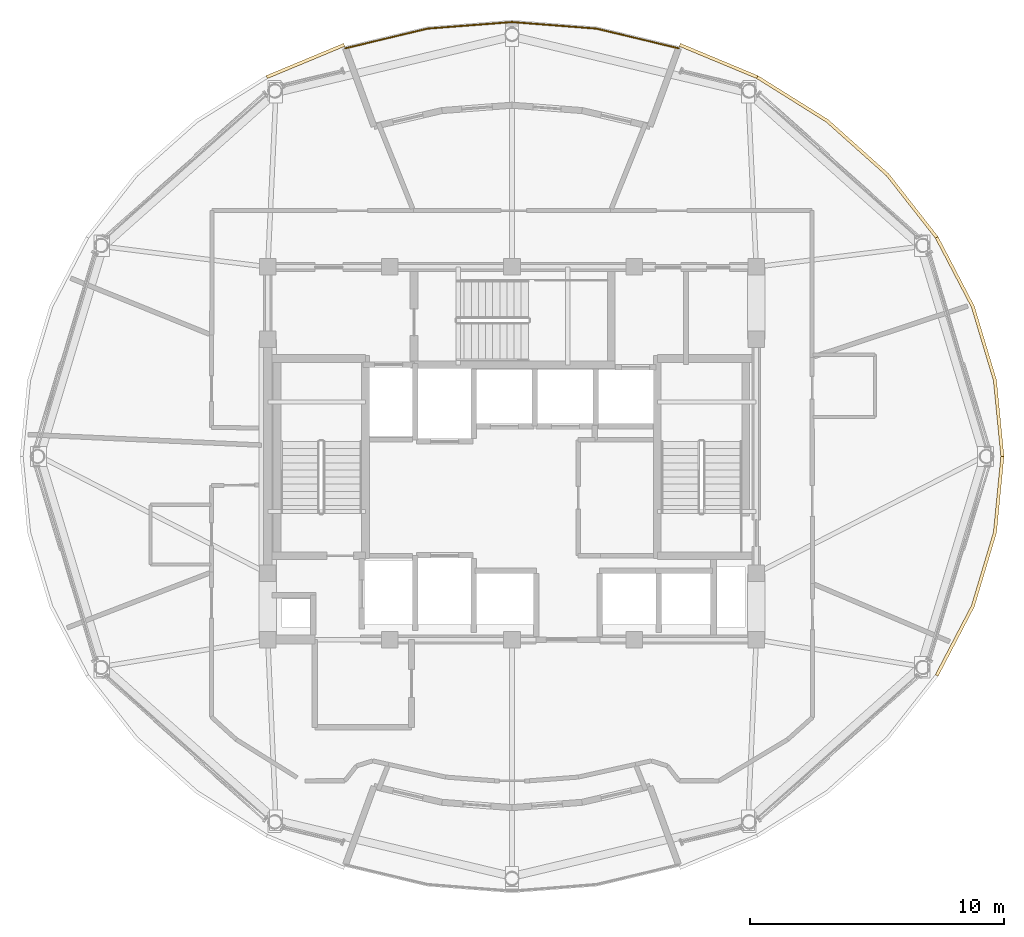
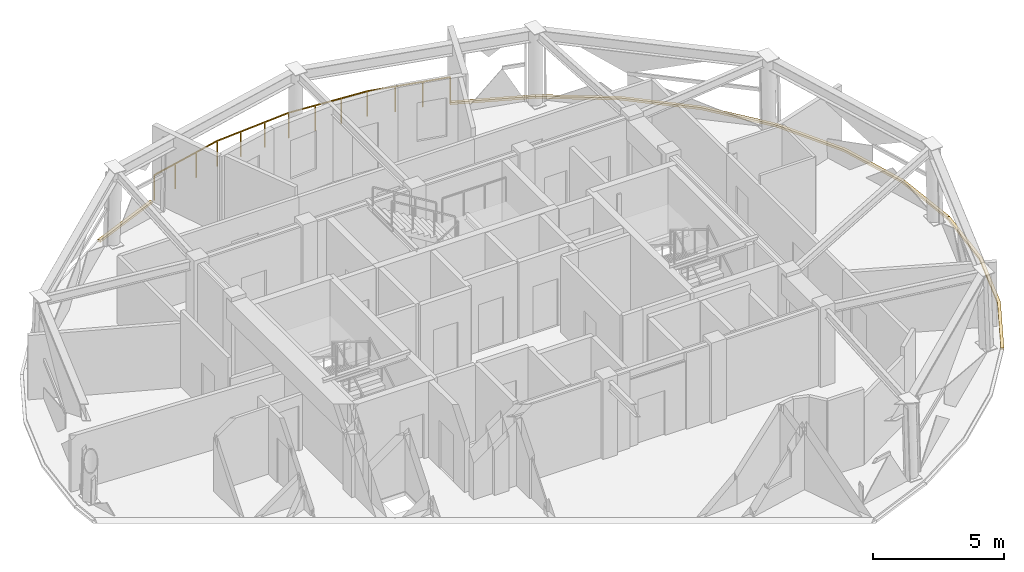
# One storey, part 13 of 13: 5 coverings, 1 railing.
"""IFC4 building model written with IfcOpenShell, lengths in metres."""

from ifc_helpers import new_model, si_unit, direction, frame, origin, origin_2d, place, context, subcontext, project, spatial, polyline, rectangle, outline, extrude, material, layer, layer_set, type_object, element, save


model = new_model("IFC4")

# Units and contexts
model_context = context("Model", 3, precision=1e-05, world=origin(), true_north=direction((0.0, 1.0)))
body_context = subcontext(model_context, "Body", "Model", "MODEL_VIEW")
ifc_project = project(units=[si_unit("LENGTHUNIT", "METRE"), si_unit("AREAUNIT", "SQUARE_METRE"), si_unit("VOLUMEUNIT", "CUBIC_METRE"), si_unit("PLANEANGLEUNIT", "RADIAN"), si_unit("MASSUNIT", "GRAM", prefix="KILO")], contexts=[model_context])

# Site, building, storey
site_placement = place(None, origin())
site = spatial("IfcSite", under=ifc_project, at=site_placement, CompositionType="ELEMENT")
building_placement = place(site_placement, origin())
building = spatial("IfcBuilding", under=site, at=building_placement, Name="Vantalir Tower", CompositionType="ELEMENT")
storey_placement = place(building_placement, frame((0.0, 0.0, 286.35009765625)))
storey = spatial("IfcBuildingStorey", under=building, at=storey_placement, Name="L72", CompositionType="ELEMENT", Elevation=286.35009765625)

# Coverings
ifc_material_1 = material(Name="Anodised champagne aluminium sill fascia", Category="aluminium")
ifc_layer = layer(ifc_material_1, 0.125)
ifc_layer_set = layer_set([ifc_layer], Name="Anodised champagne aluminium sill fascia")
covering_type = type_object("IfcCoveringType", Name="COV-SLAB-FASCIA-125", PredefinedType="CLADDING", material=ifc_layer_set)
covering_1_placement = place(storey_placement, frame((0.0, 0.0, -0.18017578125)))
element("IfcCovering", 1, at=covering_1_placement, inside=storey, type_object=covering_type, Name="L72 Perimeter Slab-Edge Sill Fascia 01", PredefinedType="CLADDING", context=body_context, shape_type="SweptSolid", body=[
    extrude(outline(polyline([(50.840087890625, 25.0), (50.5458984375, 28.0009765625), (49.674072265625, 30.909912109375), (48.2490234375, 33.639892578125), (48.14111328125, 33.577880859375), (49.555908203125, 30.867919921875), (50.423095703125, 27.97900390625), (50.715087890625, 25.0), (50.840087890625, 25.0)])), origin(), (0.0, 0.0, 1.0), 0.10498046875),
])
covering_2_placement = place(storey_placement, frame((0.0, 0.0, -0.18017578125)))
element("IfcCovering", 2, at=covering_2_placement, inside=storey, type_object=covering_type, Name="L72 Perimeter Slab-Edge Sill Fascia 02", PredefinedType="CLADDING", context=body_context, shape_type="SweptSolid", body=[
    extrude(outline(polyline([(48.2490234375, 33.639892578125), (46.31494140625, 36.10791015625), (43.931884765625, 38.238037109375), (41.169921875, 39.966064453125), (41.10791015625, 39.85791015625), (43.85107421875, 38.14208984375), (46.219970703125, 36.028076171875), (48.14111328125, 33.577880859375), (48.2490234375, 33.639892578125)])), origin(), (0.0, 0.0, 1.0), 0.10498046875),
])
covering_3_placement = place(storey_placement, frame((0.0, 0.0, -0.18017578125)))
element("IfcCovering", 3, at=covering_3_placement, inside=storey, type_object=covering_type, Name="L72 Perimeter Slab-Edge Sill Fascia 03", PredefinedType="CLADDING", context=body_context, shape_type="SweptSolid", body=[
    extrude(outline(polyline([(41.169921875, 39.966064453125), (38.114990234375, 41.239013671875), (38.072021484375, 41.12109375), (41.10791015625, 39.85791015625), (41.169921875, 39.966064453125)])), origin(), (0.0, 0.0, 1.0), 0.10498046875),
])
covering_4_placement = place(storey_placement, frame((0.0, 0.0, -0.18017578125)))
element("IfcCovering", 4, at=covering_4_placement, inside=storey, type_object=covering_type, Name="L72 Perimeter Slab-Edge Sill Fascia 04", PredefinedType="CLADDING", context=body_context, shape_type="SweptSolid", body=[
    extrude(outline(polyline([(24.885009765625, 41.239013671875), (21.830078125, 39.966064453125), (21.89306640625, 39.85791015625), (24.927978515625, 41.12109375), (24.885009765625, 41.239013671875)])), origin(), (0.0, 0.0, 1.0), 0.10498046875),
])
covering_5_placement = place(storey_placement, frame((0.0, 0.0, -0.18017578125)))
element("IfcCovering", 5, at=covering_5_placement, inside=storey, type_object=covering_type, Name="L72 Perimeter Slab-Edge Sill Fascia 12", PredefinedType="CLADDING", context=body_context, shape_type="SweptSolid", body=[
    extrude(outline(polyline([(48.2490234375, 16.35888671875), (49.674072265625, 19.090087890625), (50.5458984375, 21.9990234375), (50.840087890625, 25.0), (50.715087890625, 25.0), (50.423095703125, 22.02099609375), (49.555908203125, 19.132080078125), (48.14111328125, 16.422119140625), (48.2490234375, 16.35888671875)])), origin(), (0.0, 0.0, 1.0), 0.10498046875),
])

# Railing
ifc_material_2 = material(Name="Laminated safety glass and champagne-silver balustrade", Category="glass")
railing_type = type_object("IfcRailingType", Name="RAL-BALUSTRADE-1200", PredefinedType="BALUSTRADE", material=ifc_material_2)
railing_placement = place(storey_placement, frame((38.044921875, 41.0458984375, 0.0)))
element("IfcRailing", 6, at=railing_placement, inside=storey, type_object=railing_type, Name="L72 Wind-Portal Edge Balustrade N", PredefinedType="BALUSTRADE", context=body_context, shape_type="SweptSolid", body=[
    extrude(rectangle(XDim=0.048095703125, YDim=0.048095703125, at=origin_2d()), frame((0.0, 0.0, 1.17578125), z_axis=(-0.972542279589, 0.23272626498, 0.0), x_axis=(-0.23272626498, -0.972542279589, 0.0)), (0.0, 0.0, 1.0), 3.31298828125),
    extrude(rectangle(XDim=0.048095703125, YDim=0.048095703125, at=origin_2d()), frame((-3.221923828125, 0.77099609375, 1.17578125), z_axis=(-0.996975546128, 0.077715895558, 0.0), x_axis=(-0.077715895558, -0.996975546128, 0.0)), (0.0, 0.0, 1.0), 3.3330078125),
    extrude(rectangle(XDim=0.048095703125, YDim=0.048095703125, at=origin_2d()), frame((-6.544921875, 1.030029296875, 1.17578125), z_axis=(-0.996975546128, -0.077715895558, 0.0), x_axis=(0.077715895558, -0.996975546128, 0.0)), (0.0, 0.0, 1.0), 3.3330078125),
    extrude(rectangle(XDim=0.048095703125, YDim=0.048095703125, at=origin_2d()), frame((-9.867919921875, 0.77099609375, 1.17578125), z_axis=(-0.972542279589, -0.23272626498, 0.0), x_axis=(0.23272626498, -0.972542279589, 0.0)), (0.0, 0.0, 1.0), 3.31298828125),
    extrude(rectangle(XDim=0.0419921875, YDim=0.0419921875, at=origin_2d()), origin(), (0.0, 0.0, 1.0), 1.15185546875),
    extrude(rectangle(XDim=0.0419921875, YDim=0.0419921875, at=origin_2d()), frame((-1.073974609375, 0.257080078125, 0.0)), (0.0, 0.0, 1.0), 1.15185546875),
    extrude(rectangle(XDim=0.0419921875, YDim=0.0419921875, at=origin_2d()), frame((-2.14794921875, 0.513916015625, 0.0)), (0.0, 0.0, 1.0), 1.15185546875),
    extrude(rectangle(XDim=0.0419921875, YDim=0.0419921875, at=origin_2d()), frame((-3.221923828125, 0.77099609375, 0.0)), (0.0, 0.0, 1.0), 1.15185546875),
    extrude(rectangle(XDim=0.0419921875, YDim=0.0419921875, at=origin_2d()), frame((-4.32958984375, 0.857421875, 0.0)), (0.0, 0.0, 1.0), 1.15185546875),
    extrude(rectangle(XDim=0.0419921875, YDim=0.0419921875, at=origin_2d()), frame((-5.437255859375, 0.943603515625, 0.0)), (0.0, 0.0, 1.0), 1.15185546875),
    extrude(rectangle(XDim=0.0419921875, YDim=0.0419921875, at=origin_2d()), frame((-6.544921875, 1.030029296875, 0.0)), (0.0, 0.0, 1.0), 1.15185546875),
    extrude(rectangle(XDim=0.0419921875, YDim=0.0419921875, at=origin_2d()), frame((-7.652587890625, 0.943603515625, 0.0)), (0.0, 0.0, 1.0), 1.15185546875),
    extrude(rectangle(XDim=0.0419921875, YDim=0.0419921875, at=origin_2d()), frame((-8.76025390625, 0.857421875, 0.0)), (0.0, 0.0, 1.0), 1.15185546875),
    extrude(rectangle(XDim=0.0419921875, YDim=0.0419921875, at=origin_2d()), frame((-9.867919921875, 0.77099609375, 0.0)), (0.0, 0.0, 1.0), 1.15185546875),
    extrude(rectangle(XDim=0.0419921875, YDim=0.0419921875, at=origin_2d()), frame((-10.94189453125, 0.513916015625, 0.0)), (0.0, 0.0, 1.0), 1.15185546875),
    extrude(rectangle(XDim=0.0419921875, YDim=0.0419921875, at=origin_2d()), frame((-12.015869140625, 0.257080078125, 0.0)), (0.0, 0.0, 1.0), 1.15185546875),
    extrude(rectangle(XDim=0.0419921875, YDim=0.0419921875, at=origin_2d()), frame((-13.08984375, 0.0, 0.0)), (0.0, 0.0, 1.0), 1.15185546875),
])

save(model, "model.ifc")
